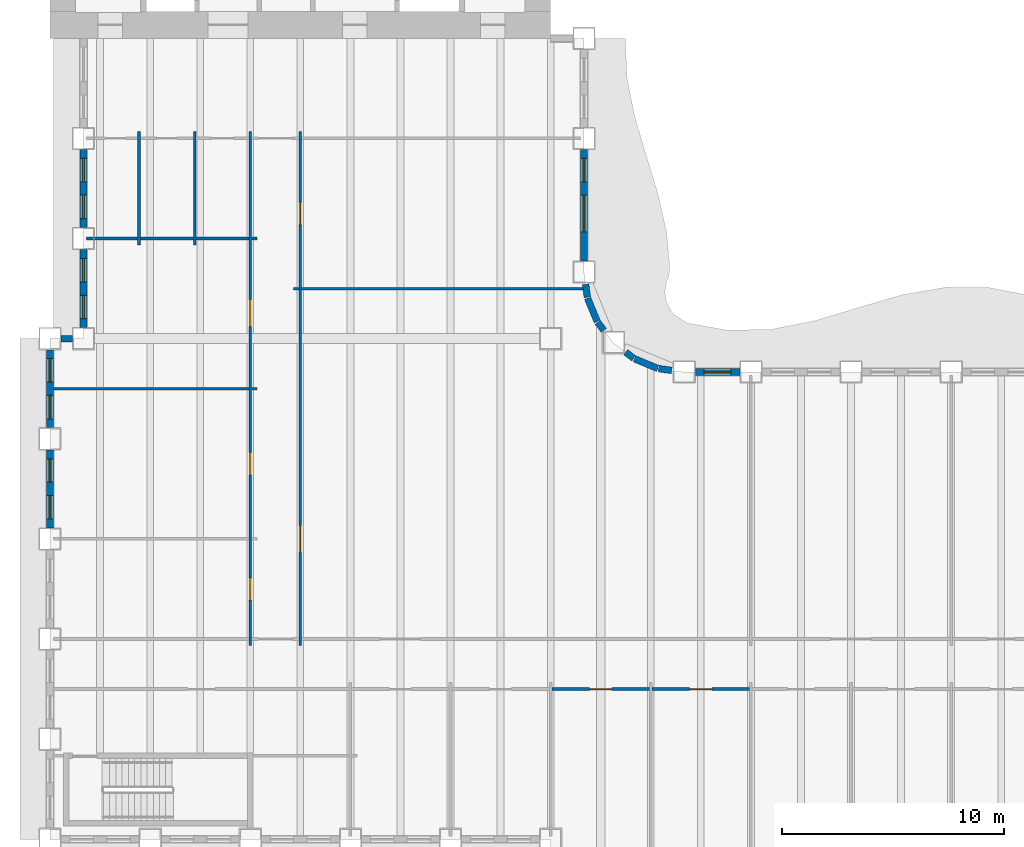
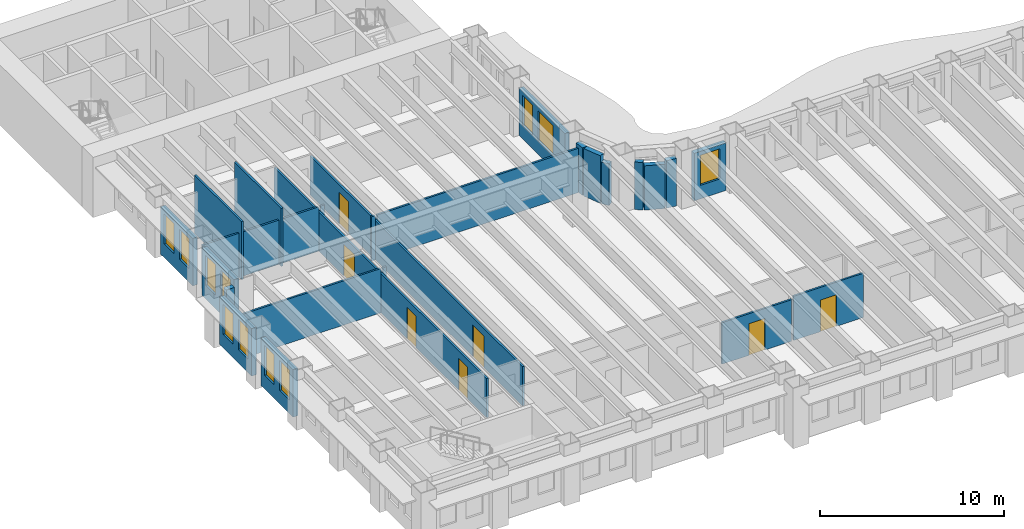
# One storey, part 4 of 16: 27 walls, 11 windows, 7 doors, 18 openings.
"""IFC4 building model written with IfcOpenShell, lengths in metres."""

from ifc_helpers import new_model, si_unit, direction, frame, frame_2d, origin, place, context, subcontext, project, spatial, rectangle, extrude, material, layer, layer_set, type_object, element, fill, save


model = new_model("IFC4")

# Units and contexts
model_context = context("Model", 3, precision=1e-05, world=origin(), true_north=direction((0.0, 1.0)))
body_context = subcontext(model_context, "Body", "Model", "MODEL_VIEW")
ifc_project = project(units=[si_unit("LENGTHUNIT", "METRE"), si_unit("AREAUNIT", "SQUARE_METRE"), si_unit("VOLUMEUNIT", "CUBIC_METRE"), si_unit("PLANEANGLEUNIT", "RADIAN"), si_unit("MASSUNIT", "GRAM", prefix="KILO")], contexts=[model_context])

# Site, building, storey
site_placement = place(None, origin())
site = spatial("IfcSite", under=ifc_project, at=site_placement, CompositionType="ELEMENT")
building_placement = place(site_placement, origin())
building = spatial("IfcBuilding", under=site, at=building_placement, Name="Sennacour Bend Tower", CompositionType="ELEMENT")
storey_placement = place(building_placement, frame((0.0, 0.0, 103.0)))
storey = spatial("IfcBuildingStorey", under=building, at=storey_placement, Name="L23", CompositionType="ELEMENT", Elevation=103.0)

# Walls
ifc_material_1 = material(Name="Plasterboard partition on steel studs", Category="steel")
ifc_layer_1 = layer(ifc_material_1, 0.1201171875, Name="Plasterboard partition on steel studs", Category="steel")
ifc_layer_set_1 = layer_set([ifc_layer_1], Name="Plasterboard partition on steel studs")
wall_type_1 = type_object("IfcWallType", Name="Partition 120", PredefinedType="PARTITIONING", material=ifc_layer_set_1)
for number, where, z_axis, x_axis, name in (
    (1, (4.0, 26.699951171875, 0.0), (0.0, 0.0, 1.0), (0.0, 1.0, 0.0), "P-L23-W005a"),
    (2, (6.5, 26.699951171875, 0.0), (0.0, 0.0, 1.0), (0.0, 1.0, 0.0), "P-L23-W008a"),
):
    element("IfcWall", number, at=place(storey_placement, frame(where, z_axis=z_axis, x_axis=x_axis)), inside=storey, type_object=wall_type_1, Name=name, PredefinedType="PARTITIONING", context=body_context, shape_type="SweptSolid", body=[
        extrude(rectangle(XDim=5.10009765625, YDim=0.1201171875, at=frame_2d((2.550048828125, 0.0))), origin(), (0.0, 0.0, 1.0), 3.85009765625),
    ])

# Wall, openings, doors
wall_1_placement = place(storey_placement, frame((9.0, 8.699951171875, 0.0), z_axis=(0.0, 0.0, 1.0), x_axis=(0.0, 1.0, 0.0)))
wall_1 = element("IfcWall", 3, at=wall_1_placement, inside=storey, type_object=wall_type_1, Name="P-L23-W011a", PredefinedType="PARTITIONING", context=body_context, shape_type="SweptSolid", body=[
    extrude(rectangle(XDim=23.10009765625, YDim=0.1201171875, at=frame_2d((11.550048828125, 0.0))), origin(), (0.0, 0.0, 1.0), 2.60009765625),
])
opening_1_placement = place(wall_1_placement, frame((2.050048828125, 0.0, 0.0)))
opening_1 = element("IfcOpeningElement", 4, at=opening_1_placement, cuts=wall_1, Name="Opening OD2", PredefinedType="OPENING", context=body_context, shape_type="SweptSolid", body=[
    extrude(rectangle(XDim=1.0, YDim=2.10009765625, at=frame_2d((0.5, 1.050048828125))), frame((0.0, 0.070068359375, 0.0), z_axis=(0.0, -1.0, 0.0), x_axis=(1.0, 0.0, 0.0)), (0.0, 0.0, 1.0), 0.14013671875),
])
opening_2_placement = place(wall_1_placement, frame((7.675048828125, 0.0, 0.0)))
opening_2 = element("IfcOpeningElement", 5, at=opening_2_placement, cuts=wall_1, Name="Opening OD2", PredefinedType="OPENING", context=body_context, shape_type="SweptSolid", body=[
    extrude(rectangle(XDim=1.0, YDim=2.10009765625, at=frame_2d((0.5, 1.050048828125))), frame((0.0, 0.070068359375, 0.0), z_axis=(0.0, -1.0, 0.0), x_axis=(1.0, 0.0, 0.0)), (0.0, 0.0, 1.0), 0.14013671875),
])
opening_3_placement = place(wall_1_placement, frame((14.35498046875, 0.0, 0.0)))
opening_3 = element("IfcOpeningElement", 6, at=opening_3_placement, cuts=wall_1, Name="Opening MD", PredefinedType="OPENING", context=body_context, shape_type="SweptSolid", body=[
    extrude(rectangle(XDim=1.199951171875, YDim=2.10009765625, at=frame_2d((0.60009765625, 1.050048828125))), frame((0.0, 0.070068359375, 0.0), z_axis=(0.0, -1.0, 0.0), x_axis=(1.0, 0.0, 0.0)), (0.0, 0.0, 1.0), 0.14013671875),
])
ifc_material_2 = material(Name="Timber", Category="wood")
door_type_1 = type_object("IfcDoorType", Name="DR-MEETING-1200", OperationType="NOTDEFINED", PredefinedType="DOOR", material=ifc_material_2)
door_1_placement = place(opening_3_placement, origin())
door_1 = element("IfcDoor", 7, at=door_1_placement, inside=storey, type_object=door_type_1, Name="Door", OperationType="SINGLE_SWING_RIGHT", OverallHeight=2.10009765625, OverallWidth=1.199951171875, PredefinedType="DOOR", context=body_context, shape_type="SweptSolid", body=[
    extrude(rectangle(XDim=1.199951171875, YDim=2.10009765625, at=frame_2d((0.60009765625, 1.050048828125))), frame((0.0, 0.02490234375, 0.0), z_axis=(0.0, -1.0, 0.0), x_axis=(1.0, 0.0, 0.0)), (0.0, 0.0, 1.0), 0.050048828125),
])
fill(opening_3, door_1)
door_type_2 = type_object("IfcDoorType", Name="DR-OFFICE-1000", OperationType="NOTDEFINED", PredefinedType="DOOR", material=ifc_material_2)
door_2_placement = place(opening_1_placement, origin())
door_2 = element("IfcDoor", 8, at=door_2_placement, inside=storey, type_object=door_type_2, Name="Door", OperationType="SINGLE_SWING_LEFT", OverallHeight=2.10009765625, OverallWidth=1.0, PredefinedType="DOOR", context=body_context, shape_type="SweptSolid", body=[
    extrude(rectangle(XDim=1.0, YDim=2.10009765625, at=frame_2d((0.5, 1.050048828125))), frame((0.0, 0.02490234375, 0.0), z_axis=(0.0, -1.0, 0.0), x_axis=(1.0, 0.0, 0.0)), (0.0, 0.0, 1.0), 0.050048828125),
])
fill(opening_1, door_2)
door_3_placement = place(opening_2_placement, origin())
door_3 = element("IfcDoor", 9, at=door_3_placement, inside=storey, type_object=door_type_2, Name="Door", OperationType="SINGLE_SWING_LEFT", OverallHeight=2.10009765625, OverallWidth=1.0, PredefinedType="DOOR", context=body_context, shape_type="SweptSolid", body=[
    extrude(rectangle(XDim=1.0, YDim=2.10009765625, at=frame_2d((0.5, 1.050048828125))), frame((0.0, 0.02490234375, 0.0), z_axis=(0.0, -1.0, 0.0), x_axis=(1.0, 0.0, 0.0)), (0.0, 0.0, 1.0), 0.050048828125),
])
fill(opening_2, door_3)

wall_2_placement = place(storey_placement, frame((11.25, 8.699951171875, 0.0), z_axis=(0.0, 0.0, 1.0), x_axis=(0.0, 1.0, 0.0)))
wall_2 = element("IfcWall", 10, at=wall_2_placement, inside=storey, type_object=wall_type_1, Name="P-L23-W013a", PredefinedType="PARTITIONING", context=body_context, shape_type="SweptSolid", body=[
    extrude(rectangle(XDim=23.10009765625, YDim=0.1201171875, at=frame_2d((11.550048828125, 0.0))), origin(), (0.0, 0.0, 1.0), 2.60009765625),
])
opening_4_placement = place(wall_2_placement, frame((18.925048828125, 0.0, 0.0)))
opening_4 = element("IfcOpeningElement", 11, at=opening_4_placement, cuts=wall_2, Name="Opening OD2", PredefinedType="OPENING", context=body_context, shape_type="SweptSolid", body=[
    extrude(rectangle(XDim=1.0, YDim=2.10009765625, at=frame_2d((0.5, 1.050048828125))), frame((0.0, 0.070068359375, 0.0), z_axis=(0.0, -1.0, 0.0), x_axis=(1.0, 0.0, 0.0)), (0.0, 0.0, 1.0), 0.14013671875),
])
opening_5_placement = place(wall_2_placement, frame((4.199951171875, 0.0, 0.0)))
opening_5 = element("IfcOpeningElement", 12, at=opening_5_placement, cuts=wall_2, Name="Opening OD", PredefinedType="OPENING", context=body_context, shape_type="SweptSolid", body=[
    extrude(rectangle(XDim=1.199951171875, YDim=2.10009765625, at=frame_2d((0.60009765625, 1.050048828125))), frame((0.0, 0.070068359375, 0.0), z_axis=(0.0, -1.0, 0.0), x_axis=(1.0, 0.0, 0.0)), (0.0, 0.0, 1.0), 0.14013671875),
])
door_4_placement = place(opening_4_placement, origin())
door_4 = element("IfcDoor", 13, at=door_4_placement, inside=storey, type_object=door_type_2, Name="Door", OperationType="SINGLE_SWING_RIGHT", OverallHeight=2.10009765625, OverallWidth=1.0, PredefinedType="DOOR", context=body_context, shape_type="SweptSolid", body=[
    extrude(rectangle(XDim=1.0, YDim=2.10009765625, at=frame_2d((0.5, 1.050048828125))), frame((0.0, 0.02490234375, 0.0), z_axis=(0.0, -1.0, 0.0), x_axis=(1.0, 0.0, 0.0)), (0.0, 0.0, 1.0), 0.050048828125),
])
fill(opening_4, door_4)
door_type_3 = type_object("IfcDoorType", Name="DR-OFFICE-1200", OperationType="NOTDEFINED", PredefinedType="DOOR", material=ifc_material_2)
door_5_placement = place(opening_5_placement, origin())
door_5 = element("IfcDoor", 14, at=door_5_placement, inside=storey, type_object=door_type_3, Name="Door", OperationType="SINGLE_SWING_LEFT", OverallHeight=2.10009765625, OverallWidth=1.199951171875, PredefinedType="DOOR", context=body_context, shape_type="SweptSolid", body=[
    extrude(rectangle(XDim=1.199951171875, YDim=2.10009765625, at=frame_2d((0.60009765625, 1.050048828125))), frame((0.0, 0.02490234375, 0.0), z_axis=(0.0, -1.0, 0.0), x_axis=(1.0, 0.0, 0.0)), (0.0, 0.0, 1.0), 0.050048828125),
])
fill(opening_5, door_5)

# Wall, opening, door
wall_3_placement = place(storey_placement, frame((22.56005859375, 6.75, 0.0), z_axis=(0.0, 0.0, 1.0), x_axis=(1.0, 0.0, 0.0)))
wall_3 = element("IfcWall", 15, at=wall_3_placement, inside=storey, type_object=wall_type_1, Name="P-L23-W060ad", PredefinedType="PARTITIONING", context=body_context, shape_type="SweptSolid", body=[
    extrude(rectangle(XDim=4.3798828125, YDim=0.1201171875, at=frame_2d((2.18994140625, 0.0))), origin(), (0.0, 0.0, 1.0), 2.760009765625),
])
opening_6_placement = place(wall_3_placement, frame((1.68994140625, 0.0, 0.0)))
opening_6 = element("IfcOpeningElement", 16, at=opening_6_placement, cuts=wall_3, Name="Opening OD2", PredefinedType="OPENING", context=body_context, shape_type="SweptSolid", body=[
    extrude(rectangle(XDim=1.0, YDim=2.10009765625, at=frame_2d((0.5, 1.050048828125))), frame((0.0, 0.070068359375, 0.0), z_axis=(0.0, -1.0, 0.0), x_axis=(1.0, 0.0, 0.0)), (0.0, 0.0, 1.0), 0.14013671875),
])
door_6_placement = place(opening_6_placement, origin())
door_6 = element("IfcDoor", 17, at=door_6_placement, inside=storey, type_object=door_type_2, Name="Door", OperationType="SINGLE_SWING_LEFT", OverallHeight=2.10009765625, OverallWidth=1.0, PredefinedType="DOOR", context=body_context, shape_type="SweptSolid", body=[
    extrude(rectangle(XDim=1.0, YDim=2.10009765625, at=frame_2d((0.5, 1.050048828125))), frame((0.0, 0.02490234375, 0.0), z_axis=(0.0, -1.0, 0.0), x_axis=(1.0, 0.0, 0.0)), (0.0, 0.0, 1.0), 0.050048828125),
])
fill(opening_6, door_6)

wall_4_placement = place(storey_placement, frame((27.06005859375, 6.75, 0.0), z_axis=(0.0, 0.0, 1.0), x_axis=(1.0, 0.0, 0.0)))
wall_4 = element("IfcWall", 18, at=wall_4_placement, inside=storey, type_object=wall_type_1, Name="P-L23-W060ae", PredefinedType="PARTITIONING", context=body_context, shape_type="SweptSolid", body=[
    extrude(rectangle(XDim=4.3798828125, YDim=0.1201171875, at=frame_2d((2.18994140625, 0.0))), origin(), (0.0, 0.0, 1.0), 2.93798828125),
])
opening_7_placement = place(wall_4_placement, frame((1.68994140625, 0.0, 0.0)))
opening_7 = element("IfcOpeningElement", 19, at=opening_7_placement, cuts=wall_4, Name="Opening MD2", PredefinedType="OPENING", context=body_context, shape_type="SweptSolid", body=[
    extrude(rectangle(XDim=1.0, YDim=2.10009765625, at=frame_2d((0.5, 1.050048828125))), frame((0.0, 0.070068359375, 0.0), z_axis=(0.0, -1.0, 0.0), x_axis=(1.0, 0.0, 0.0)), (0.0, 0.0, 1.0), 0.14013671875),
])
door_type_4 = type_object("IfcDoorType", Name="DR-MEETING-1000", OperationType="NOTDEFINED", PredefinedType="DOOR", material=ifc_material_2)
door_7_placement = place(opening_7_placement, origin())
door_7 = element("IfcDoor", 20, at=door_7_placement, inside=storey, type_object=door_type_4, Name="Door", OperationType="SINGLE_SWING_LEFT", OverallHeight=2.10009765625, OverallWidth=1.0, PredefinedType="DOOR", context=body_context, shape_type="SweptSolid", body=[
    extrude(rectangle(XDim=1.0, YDim=2.10009765625, at=frame_2d((0.5, 1.050048828125))), frame((0.0, 0.02490234375, 0.0), z_axis=(0.0, -1.0, 0.0), x_axis=(1.0, 0.0, 0.0)), (0.0, 0.0, 1.0), 0.050048828125),
])
fill(opening_7, door_7)

# Walls
wall_5_placement = place(storey_placement, frame((0.14990234375, 20.25, 0.0), z_axis=(0.0, 0.0, 1.0), x_axis=(1.0, 0.0, 0.0)))
element("IfcWall", 21, at=wall_5_placement, inside=storey, type_object=wall_type_1, Name="P-L23-W071aa", PredefinedType="PARTITIONING", context=body_context, shape_type="SweptSolid", body=[
    extrude(rectangle(XDim=8.7900390625, YDim=0.1201171875, at=frame_2d((4.39501953125, 0.0))), origin(), (0.0, 0.0, 1.0), 2.93798828125),
])
for number, where, z_axis, x_axis, name in (
    (22, (9.06005859375, 20.25, 0.0), (0.0, 0.0, 1.0), (1.0, 0.0, 0.0), "P-L23-W071ab"),
    (23, (10.949951171875, 24.75, 0.0), (0.0, 0.0, 1.0), (1.0, 0.0, 0.0), "P-L23-W073aa"),
):
    element("IfcWall", number, at=place(storey_placement, frame(where, z_axis=z_axis, x_axis=x_axis)), inside=storey, type_object=wall_type_1, Name=name, PredefinedType="PARTITIONING", context=body_context, shape_type="SweptSolid", body=[
        extrude(rectangle(XDim=0.239990234375, YDim=0.1201171875, at=frame_2d((0.1201171875, 0.0))), origin(), (0.0, 0.0, 1.0), 2.93798828125),
    ])
wall_6_placement = place(storey_placement, frame((11.31005859375, 24.75, 0.0), z_axis=(0.0, 0.0, 1.0), x_axis=(1.0, 0.0, 0.0)))
element("IfcWall", 24, at=wall_6_placement, inside=storey, type_object=wall_type_1, Name="P-L23-W073ab", PredefinedType="PARTITIONING", context=body_context, shape_type="SweptSolid", body=[
    extrude(rectangle(XDim=12.637451171875, YDim=0.1201171875, at=frame_2d((6.31884765625, 0.0))), origin(), (0.0, 0.0, 1.0), 2.93798828125),
])
wall_7_placement = place(storey_placement, frame((1.64990234375, 27.0, 0.0), z_axis=(0.0, 0.0, 1.0), x_axis=(1.0, 0.0, 0.0)))
element("IfcWall", 25, at=wall_7_placement, inside=storey, type_object=wall_type_1, Name="P-L23-W075aa", PredefinedType="PARTITIONING", context=body_context, shape_type="SweptSolid", body=[
    extrude(rectangle(XDim=2.2900390625, YDim=0.1201171875, at=frame_2d((1.14501953125, 0.0))), origin(), (0.0, 0.0, 1.0), 2.93798828125),
])
for number, where, z_axis, x_axis, name in (
    (26, (4.06005859375, 27.0, 0.0), (0.0, 0.0, 1.0), (1.0, 0.0, 0.0), "P-L23-W075ab"),
    (27, (6.56005859375, 27.0, 0.0), (0.0, 0.0, 1.0), (1.0, 0.0, 0.0), "P-L23-W075ac"),
):
    element("IfcWall", number, at=place(storey_placement, frame(where, z_axis=z_axis, x_axis=x_axis)), inside=storey, type_object=wall_type_1, Name=name, PredefinedType="PARTITIONING", context=body_context, shape_type="SweptSolid", body=[
        extrude(rectangle(XDim=2.3798828125, YDim=0.1201171875, at=frame_2d((1.18994140625, 0.0))), origin(), (0.0, 0.0, 1.0), 2.93798828125),
    ])
wall_8_placement = place(storey_placement, frame((9.06005859375, 27.0, 0.0), z_axis=(0.0, 0.0, 1.0), x_axis=(1.0, 0.0, 0.0)))
element("IfcWall", 28, at=wall_8_placement, inside=storey, type_object=wall_type_1, Name="P-L23-W075ad", PredefinedType="PARTITIONING", context=body_context, shape_type="SweptSolid", body=[
    extrude(rectangle(XDim=0.239990234375, YDim=0.1201171875, at=frame_2d((0.1201171875, 0.0))), origin(), (0.0, 0.0, 1.0), 2.93798828125),
])

# Wall, opening, window
ifc_material_3 = material(Name="Warm limestone cladding", Category="masonry")
ifc_layer_2 = layer(ifc_material_3, 0.050048828125, Name="Warm limestone cladding", Category="masonry")
ifc_material_4 = material(Name="Precast concrete C40/50", Category="concrete")
ifc_layer_3 = layer(ifc_material_4, 0.25, Name="Precast concrete C40/50", Category="concrete")
ifc_layer_set_2 = layer_set([ifc_layer_2, ifc_layer_3], Name="Precast concrete C40/50 with limestone cladding")
wall_type_2 = type_object("IfcWallType", Name="STONE-CLAD PRECAST SPANDREL 300", PredefinedType="STANDARD", material=ifc_layer_set_2)
wall_9_placement = place(storey_placement, frame((31.0, 21.0, 0.0), z_axis=(0.0, 0.0, 1.0), x_axis=(-1.0, 0.0, 0.0)))
wall_9 = element("IfcWall", 29, at=wall_9_placement, inside=storey, type_object=wall_type_2, Name="Stone spandrel and pier wall L23 06.05", PredefinedType="STANDARD", context=body_context, shape_type="SweptSolid", body=[
    extrude(rectangle(XDim=2.0, YDim=0.300048828125, at=frame_2d((1.0, 0.0))), origin(), (0.0, 0.0, 1.0), 3.154052734375),
])
opening_8_placement = place(wall_9_placement, frame((0.39990234375, 0.0, 0.89990234375)))
opening_8 = element("IfcOpeningElement", 30, at=opening_8_placement, cuts=wall_9, Name="Opening W14", PredefinedType="OPENING", context=body_context, shape_type="SweptSolid", body=[
    extrude(rectangle(XDim=1.199951171875, YDim=2.0, at=frame_2d((0.60009765625, 1.0))), frame((0.0, 0.16015625, 0.0), z_axis=(0.0, -1.0, 0.0), x_axis=(1.0, 0.0, 0.0)), (0.0, 0.0, 1.0), 0.320068359375),
])
ifc_material_5 = material(Name="Clear low-emissivity glass", Category="glass")
window_type_1 = type_object("IfcWindowType", Name="WIN-RIBBON-1200x2000", PartitioningType="SINGLE_PANEL", PredefinedType="WINDOW", material=ifc_material_5)
window_1_placement = place(opening_8_placement, origin())
window_1 = element("IfcWindow", 31, at=window_1_placement, inside=storey, type_object=window_type_1, Name="Ribbon window L23 06.05", OverallHeight=2.0, OverallWidth=1.199951171875, PartitioningType="SINGLE_PANEL", PredefinedType="WINDOW", context=body_context, shape_type="SweptSolid", body=[
    extrude(rectangle(XDim=1.199951171875, YDim=2.0, at=frame_2d((0.60009765625, 1.0))), frame((0.0, 0.030029296875, 0.0), z_axis=(0.0, -1.0, 0.0), x_axis=(1.0, 0.0, 0.0)), (0.0, 0.0, 1.0), 0.06005859375),
])
fill(opening_8, window_1)

# Walls
wall_10_placement = place(storey_placement, frame((27.94384765625, 21.0732421875, 0.0), z_axis=(0.0, 0.0, 1.0), x_axis=(-0.991420685839, 0.130709692412, 0.0)))
element("IfcWall", 32, at=wall_10_placement, inside=storey, type_object=wall_type_2, Name="Stone spandrel and pier wall L23 07.00", PredefinedType="STANDARD", context=body_context, shape_type="SweptSolid", body=[
    extrude(rectangle(XDim=0.593994140625, YDim=0.300048828125, at=frame_2d((0.296875, 0.0))), origin(), (0.0, 0.0, 1.0), 3.154052734375),
])
wall_11_placement = place(storey_placement, frame((27.317138671875, 21.160888671875, 0.0), z_axis=(0.0, 0.0, 1.0), x_axis=(-0.923914616768, 0.382598720491, 0.0)))
element("IfcWall", 33, at=wall_11_placement, inside=storey, type_object=wall_type_2, Name="Stone spandrel and pier wall L23 08.00", PredefinedType="STANDARD", context=body_context, shape_type="SweptSolid", body=[
    extrude(rectangle(XDim=1.13525390625, YDim=0.300048828125, at=frame_2d((0.567626953125, 0.0))), origin(), (0.0, 0.0, 1.0), 2.93798828125),
])
wall_12_placement = place(storey_placement, frame((26.234375, 21.614990234375, 0.0), z_axis=(0.0, 0.0, 1.0), x_axis=(-0.793563062559, 0.608488016104, 0.0)))
element("IfcWall", 34, at=wall_12_placement, inside=storey, type_object=wall_type_2, Name="Stone spandrel and pier wall L23 09.00", PredefinedType="STANDARD", context=body_context, shape_type="SweptSolid", body=[
    extrude(rectangle(XDim=0.453857421875, YDim=0.300048828125, at=frame_2d((0.22705078125, 0.0))), origin(), (0.0, 0.0, 1.0), 3.154052734375),
])
wall_13_placement = place(storey_placement, frame((24.89111328125, 22.874267578125, 0.0), z_axis=(0.0, 0.0, 1.0), x_axis=(-0.608488016104, 0.793563062559, 0.0)))
element("IfcWall", 35, at=wall_13_placement, inside=storey, type_object=wall_type_2, Name="Stone spandrel and pier wall L23 10.00", PredefinedType="STANDARD", context=body_context, shape_type="SweptSolid", body=[
    extrude(rectangle(XDim=0.453857421875, YDim=0.300048828125, at=frame_2d((0.22705078125, 0.0))), origin(), (0.0, 0.0, 1.0), 2.760009765625),
])
wall_14_placement = place(storey_placement, frame((24.59521484375, 23.268310546875, 0.0), z_axis=(0.0, 0.0, 1.0), x_axis=(-0.382598720491, 0.923914616768, 0.0)))
element("IfcWall", 36, at=wall_14_placement, inside=storey, type_object=wall_type_2, Name="Stone spandrel and pier wall L23 11.00", PredefinedType="STANDARD", context=body_context, shape_type="SweptSolid", body=[
    extrude(rectangle(XDim=1.13525390625, YDim=0.300048828125, at=frame_2d((0.567626953125, 0.0))), origin(), (0.0, 0.0, 1.0), 3.154052734375),
])
wall_15_placement = place(storey_placement, frame((24.15087890625, 24.35498046875, 0.0), z_axis=(0.0, 0.0, 1.0), x_axis=(-0.130709692412, 0.991420685839, 0.0)))
element("IfcWall", 37, at=wall_15_placement, inside=storey, type_object=wall_type_2, Name="Stone spandrel and pier wall L23 12.00", PredefinedType="STANDARD", context=body_context, shape_type="SweptSolid", body=[
    extrude(rectangle(XDim=0.593994140625, YDim=0.300048828125, at=frame_2d((0.296875, 0.0))), origin(), (0.0, 0.0, 1.0), 3.154052734375),
])

# Wall, openings, windows
wall_16_placement = place(storey_placement, frame((24.0, 26.0, 0.0), z_axis=(0.0, 0.0, 1.0), x_axis=(0.0, 1.0, 0.0)))
wall_16 = element("IfcWall", 38, at=wall_16_placement, inside=storey, type_object=wall_type_2, Name="Stone spandrel and pier wall L23 13.00", PredefinedType="STANDARD", context=body_context, shape_type="SweptSolid", body=[
    extrude(rectangle(XDim=5.0, YDim=0.300048828125, at=frame_2d((2.5, 0.0))), origin(), (0.0, 0.0, 1.0), 3.154052734375),
])
opening_9_placement = place(wall_16_placement, frame((1.300048828125, 0.0, 0.89990234375)))
opening_9 = element("IfcOpeningElement", 39, at=opening_9_placement, cuts=wall_16, Name="Opening W10", PredefinedType="OPENING", context=body_context, shape_type="SweptSolid", body=[
    extrude(rectangle(XDim=1.64990234375, YDim=2.0, at=frame_2d((0.824951171875, 1.0))), frame((0.0, 0.16015625, 0.0), z_axis=(0.0, -1.0, 0.0), x_axis=(1.0, 0.0, 0.0)), (0.0, 0.0, 1.0), 0.320068359375),
])
opening_10_placement = place(wall_16_placement, frame((3.550048828125, 0.0, 0.89990234375)))
opening_10 = element("IfcOpeningElement", 40, at=opening_10_placement, cuts=wall_16, Name="Opening W13", PredefinedType="OPENING", context=body_context, shape_type="SweptSolid", body=[
    extrude(rectangle(XDim=1.050048828125, YDim=2.0, at=frame_2d((0.52490234375, 1.0))), frame((0.0, 0.16015625, 0.0), z_axis=(0.0, -1.0, 0.0), x_axis=(1.0, 0.0, 0.0)), (0.0, 0.0, 1.0), 0.320068359375),
])
window_type_2 = type_object("IfcWindowType", Name="WIN-RIBBON-1050x2000", PartitioningType="SINGLE_PANEL", PredefinedType="WINDOW", material=ifc_material_5)
window_2_placement = place(opening_10_placement, origin())
window_2 = element("IfcWindow", 41, at=window_2_placement, inside=storey, type_object=window_type_2, Name="Ribbon window L23 13.00.1", OverallHeight=2.0, OverallWidth=1.050048828125, PartitioningType="SINGLE_PANEL", PredefinedType="WINDOW", context=body_context, shape_type="SweptSolid", body=[
    extrude(rectangle(XDim=1.050048828125, YDim=2.0, at=frame_2d((0.52490234375, 1.0))), frame((0.0, 0.030029296875, 0.0), z_axis=(0.0, -1.0, 0.0), x_axis=(1.0, 0.0, 0.0)), (0.0, 0.0, 1.0), 0.06005859375),
])
fill(opening_10, window_2)
window_type_3 = type_object("IfcWindowType", Name="WIN-RIBBON-1650x2000", PartitioningType="SINGLE_PANEL", PredefinedType="WINDOW", material=ifc_material_5)
window_3_placement = place(opening_9_placement, origin())
window_3 = element("IfcWindow", 42, at=window_3_placement, inside=storey, type_object=window_type_3, Name="Ribbon window L23 13.00.0", OverallHeight=2.0, OverallWidth=1.64990234375, PartitioningType="SINGLE_PANEL", PredefinedType="WINDOW", context=body_context, shape_type="SweptSolid", body=[
    extrude(rectangle(XDim=1.64990234375, YDim=2.0, at=frame_2d((0.824951171875, 1.0))), frame((0.0, 0.030029296875, 0.0), z_axis=(0.0, -1.0, 0.0), x_axis=(1.0, 0.0, 0.0)), (0.0, 0.0, 1.0), 0.06005859375),
])
fill(opening_9, window_3)

wall_17_placement = place(storey_placement, frame((1.5, 31.0, 0.0), z_axis=(0.0, 0.0, 1.0), x_axis=(0.0, -1.0, 0.0)))
wall_17 = element("IfcWall", 43, at=wall_17_placement, inside=storey, type_object=wall_type_2, Name="Stone spandrel and pier wall L23 19.01", PredefinedType="STANDARD", context=body_context, shape_type="SweptSolid", body=[
    extrude(rectangle(XDim=3.5, YDim=0.300048828125, at=frame_2d((1.75, 0.0))), origin(), (0.0, 0.0, 1.0), 3.154052734375),
])
opening_11_placement = place(wall_17_placement, frame((0.39990234375, 0.0, 0.89990234375)))
opening_11 = element("IfcOpeningElement", 44, at=opening_11_placement, cuts=wall_17, Name="Opening W13", PredefinedType="OPENING", context=body_context, shape_type="SweptSolid", body=[
    extrude(rectangle(XDim=1.050048828125, YDim=2.0, at=frame_2d((0.52490234375, 1.0))), frame((0.0, 0.16015625, 0.0), z_axis=(0.0, -1.0, 0.0), x_axis=(1.0, 0.0, 0.0)), (0.0, 0.0, 1.0), 0.320068359375),
])
opening_12_placement = place(wall_17_placement, frame((2.050048828125, 0.0, 0.89990234375)))
opening_12 = element("IfcOpeningElement", 45, at=opening_12_placement, cuts=wall_17, Name="Opening W13", PredefinedType="OPENING", context=body_context, shape_type="SweptSolid", body=[
    extrude(rectangle(XDim=1.050048828125, YDim=2.0, at=frame_2d((0.52490234375, 1.0))), frame((0.0, 0.16015625, 0.0), z_axis=(0.0, -1.0, 0.0), x_axis=(1.0, 0.0, 0.0)), (0.0, 0.0, 1.0), 0.320068359375),
])
window_4_placement = place(opening_11_placement, origin())
window_4 = element("IfcWindow", 46, at=window_4_placement, inside=storey, type_object=window_type_2, Name="Ribbon window L23 19.01.0", OverallHeight=2.0, OverallWidth=1.050048828125, PartitioningType="SINGLE_PANEL", PredefinedType="WINDOW", context=body_context, shape_type="SweptSolid", body=[
    extrude(rectangle(XDim=1.050048828125, YDim=2.0, at=frame_2d((0.52490234375, 1.0))), frame((0.0, 0.030029296875, 0.0), z_axis=(0.0, -1.0, 0.0), x_axis=(1.0, 0.0, 0.0)), (0.0, 0.0, 1.0), 0.06005859375),
])
fill(opening_11, window_4)
window_5_placement = place(opening_12_placement, origin())
window_5 = element("IfcWindow", 47, at=window_5_placement, inside=storey, type_object=window_type_2, Name="Ribbon window L23 19.01.1", OverallHeight=2.0, OverallWidth=1.050048828125, PartitioningType="SINGLE_PANEL", PredefinedType="WINDOW", context=body_context, shape_type="SweptSolid", body=[
    extrude(rectangle(XDim=1.050048828125, YDim=2.0, at=frame_2d((0.52490234375, 1.0))), frame((0.0, 0.030029296875, 0.0), z_axis=(0.0, -1.0, 0.0), x_axis=(1.0, 0.0, 0.0)), (0.0, 0.0, 1.0), 0.06005859375),
])
fill(opening_12, window_5)

wall_18_placement = place(storey_placement, frame((1.5, 26.5, 0.0), z_axis=(0.0, 0.0, 1.0), x_axis=(0.0, -1.0, 0.0)))
wall_18 = element("IfcWall", 48, at=wall_18_placement, inside=storey, type_object=wall_type_2, Name="Stone spandrel and pier wall L23 19.02", PredefinedType="STANDARD", context=body_context, shape_type="SweptSolid", body=[
    extrude(rectangle(XDim=3.5, YDim=0.300048828125, at=frame_2d((1.75, 0.0))), origin(), (0.0, 0.0, 1.0), 3.154052734375),
])
opening_13_placement = place(wall_18_placement, frame((0.39990234375, 0.0, 0.89990234375)))
opening_13 = element("IfcOpeningElement", 49, at=opening_13_placement, cuts=wall_18, Name="Opening W13", PredefinedType="OPENING", context=body_context, shape_type="SweptSolid", body=[
    extrude(rectangle(XDim=1.050048828125, YDim=2.0, at=frame_2d((0.52490234375, 1.0))), frame((0.0, 0.16015625, 0.0), z_axis=(0.0, -1.0, 0.0), x_axis=(1.0, 0.0, 0.0)), (0.0, 0.0, 1.0), 0.320068359375),
])
opening_14_placement = place(wall_18_placement, frame((2.050048828125, 0.0, 0.89990234375)))
opening_14 = element("IfcOpeningElement", 50, at=opening_14_placement, cuts=wall_18, Name="Opening W13", PredefinedType="OPENING", context=body_context, shape_type="SweptSolid", body=[
    extrude(rectangle(XDim=1.050048828125, YDim=2.0, at=frame_2d((0.52490234375, 1.0))), frame((0.0, 0.16015625, 0.0), z_axis=(0.0, -1.0, 0.0), x_axis=(1.0, 0.0, 0.0)), (0.0, 0.0, 1.0), 0.320068359375),
])
window_6_placement = place(opening_13_placement, origin())
window_6 = element("IfcWindow", 51, at=window_6_placement, inside=storey, type_object=window_type_2, Name="Ribbon window L23 19.02.0", OverallHeight=2.0, OverallWidth=1.050048828125, PartitioningType="SINGLE_PANEL", PredefinedType="WINDOW", context=body_context, shape_type="SweptSolid", body=[
    extrude(rectangle(XDim=1.050048828125, YDim=2.0, at=frame_2d((0.52490234375, 1.0))), frame((0.0, 0.030029296875, 0.0), z_axis=(0.0, -1.0, 0.0), x_axis=(1.0, 0.0, 0.0)), (0.0, 0.0, 1.0), 0.06005859375),
])
fill(opening_13, window_6)
window_7_placement = place(opening_14_placement, origin())
window_7 = element("IfcWindow", 52, at=window_7_placement, inside=storey, type_object=window_type_2, Name="Ribbon window L23 19.02.1", OverallHeight=2.0, OverallWidth=1.050048828125, PartitioningType="SINGLE_PANEL", PredefinedType="WINDOW", context=body_context, shape_type="SweptSolid", body=[
    extrude(rectangle(XDim=1.050048828125, YDim=2.0, at=frame_2d((0.52490234375, 1.0))), frame((0.0, 0.030029296875, 0.0), z_axis=(0.0, -1.0, 0.0), x_axis=(1.0, 0.0, 0.0)), (0.0, 0.0, 1.0), 0.06005859375),
])
fill(opening_14, window_7)

# Wall
wall_19_placement = place(storey_placement, frame((1.0, 22.5, 0.0), z_axis=(0.0, 0.0, 1.0), x_axis=(-1.0, 0.0, 0.0)))
element("IfcWall", 53, at=wall_19_placement, inside=storey, type_object=wall_type_2, Name="Stone spandrel and pier wall L23 20.00", PredefinedType="STANDARD", context=body_context, shape_type="SweptSolid", body=[
    extrude(rectangle(XDim=0.5, YDim=0.300048828125, at=frame_2d((0.25, 0.0))), origin(), (0.0, 0.0, 1.0), 3.154052734375),
])

# Wall, openings, windows
wall_20_placement = place(storey_placement, frame((0.0, 22.0, 0.0), z_axis=(0.0, 0.0, 1.0), x_axis=(0.0, -1.0, 0.0)))
wall_20 = element("IfcWall", 54, at=wall_20_placement, inside=storey, type_object=wall_type_2, Name="Stone spandrel and pier wall L23 21.00", PredefinedType="STANDARD", context=body_context, shape_type="SweptSolid", body=[
    extrude(rectangle(XDim=3.5, YDim=0.300048828125, at=frame_2d((1.75, 0.0))), origin(), (0.0, 0.0, 1.0), 3.154052734375),
])
opening_15_placement = place(wall_20_placement, frame((0.39990234375, 0.0, 0.89990234375)))
opening_15 = element("IfcOpeningElement", 55, at=opening_15_placement, cuts=wall_20, Name="Opening W13", PredefinedType="OPENING", context=body_context, shape_type="SweptSolid", body=[
    extrude(rectangle(XDim=1.050048828125, YDim=2.0, at=frame_2d((0.52490234375, 1.0))), frame((0.0, 0.16015625, 0.0), z_axis=(0.0, -1.0, 0.0), x_axis=(1.0, 0.0, 0.0)), (0.0, 0.0, 1.0), 0.320068359375),
])
opening_16_placement = place(wall_20_placement, frame((2.050048828125, 0.0, 0.89990234375)))
opening_16 = element("IfcOpeningElement", 56, at=opening_16_placement, cuts=wall_20, Name="Opening W13", PredefinedType="OPENING", context=body_context, shape_type="SweptSolid", body=[
    extrude(rectangle(XDim=1.050048828125, YDim=2.0, at=frame_2d((0.52490234375, 1.0))), frame((0.0, 0.16015625, 0.0), z_axis=(0.0, -1.0, 0.0), x_axis=(1.0, 0.0, 0.0)), (0.0, 0.0, 1.0), 0.320068359375),
])
window_8_placement = place(opening_15_placement, origin())
window_8 = element("IfcWindow", 57, at=window_8_placement, inside=storey, type_object=window_type_2, Name="Ribbon window L23 21.00.0", OverallHeight=2.0, OverallWidth=1.050048828125, PartitioningType="SINGLE_PANEL", PredefinedType="WINDOW", context=body_context, shape_type="SweptSolid", body=[
    extrude(rectangle(XDim=1.050048828125, YDim=2.0, at=frame_2d((0.52490234375, 1.0))), frame((0.0, 0.030029296875, 0.0), z_axis=(0.0, -1.0, 0.0), x_axis=(1.0, 0.0, 0.0)), (0.0, 0.0, 1.0), 0.06005859375),
])
fill(opening_15, window_8)
window_9_placement = place(opening_16_placement, origin())
window_9 = element("IfcWindow", 58, at=window_9_placement, inside=storey, type_object=window_type_2, Name="Ribbon window L23 21.00.1", OverallHeight=2.0, OverallWidth=1.050048828125, PartitioningType="SINGLE_PANEL", PredefinedType="WINDOW", context=body_context, shape_type="SweptSolid", body=[
    extrude(rectangle(XDim=1.050048828125, YDim=2.0, at=frame_2d((0.52490234375, 1.0))), frame((0.0, 0.030029296875, 0.0), z_axis=(0.0, -1.0, 0.0), x_axis=(1.0, 0.0, 0.0)), (0.0, 0.0, 1.0), 0.06005859375),
])
fill(opening_16, window_9)

wall_21_placement = place(storey_placement, frame((0.0, 17.5, 0.0), z_axis=(0.0, 0.0, 1.0), x_axis=(0.0, -1.0, 0.0)))
wall_21 = element("IfcWall", 59, at=wall_21_placement, inside=storey, type_object=wall_type_2, Name="Stone spandrel and pier wall L23 21.01", PredefinedType="STANDARD", context=body_context, shape_type="SweptSolid", body=[
    extrude(rectangle(XDim=3.5, YDim=0.300048828125, at=frame_2d((1.75, 0.0))), origin(), (0.0, 0.0, 1.0), 3.154052734375),
])
opening_17_placement = place(wall_21_placement, frame((0.39990234375, 0.0, 0.89990234375)))
opening_17 = element("IfcOpeningElement", 60, at=opening_17_placement, cuts=wall_21, Name="Opening W13", PredefinedType="OPENING", context=body_context, shape_type="SweptSolid", body=[
    extrude(rectangle(XDim=1.050048828125, YDim=2.0, at=frame_2d((0.52490234375, 1.0))), frame((0.0, 0.16015625, 0.0), z_axis=(0.0, -1.0, 0.0), x_axis=(1.0, 0.0, 0.0)), (0.0, 0.0, 1.0), 0.320068359375),
])
opening_18_placement = place(wall_21_placement, frame((2.050048828125, 0.0, 0.89990234375)))
opening_18 = element("IfcOpeningElement", 61, at=opening_18_placement, cuts=wall_21, Name="Opening W13", PredefinedType="OPENING", context=body_context, shape_type="SweptSolid", body=[
    extrude(rectangle(XDim=1.050048828125, YDim=2.0, at=frame_2d((0.52490234375, 1.0))), frame((0.0, 0.16015625, 0.0), z_axis=(0.0, -1.0, 0.0), x_axis=(1.0, 0.0, 0.0)), (0.0, 0.0, 1.0), 0.320068359375),
])
window_10_placement = place(opening_17_placement, origin())
window_10 = element("IfcWindow", 62, at=window_10_placement, inside=storey, type_object=window_type_2, Name="Ribbon window L23 21.01.0", OverallHeight=2.0, OverallWidth=1.050048828125, PartitioningType="SINGLE_PANEL", PredefinedType="WINDOW", context=body_context, shape_type="SweptSolid", body=[
    extrude(rectangle(XDim=1.050048828125, YDim=2.0, at=frame_2d((0.52490234375, 1.0))), frame((0.0, 0.030029296875, 0.0), z_axis=(0.0, -1.0, 0.0), x_axis=(1.0, 0.0, 0.0)), (0.0, 0.0, 1.0), 0.06005859375),
])
fill(opening_17, window_10)
window_11_placement = place(opening_18_placement, origin())
window_11 = element("IfcWindow", 63, at=window_11_placement, inside=storey, type_object=window_type_2, Name="Ribbon window L23 21.01.1", OverallHeight=2.0, OverallWidth=1.050048828125, PartitioningType="SINGLE_PANEL", PredefinedType="WINDOW", context=body_context, shape_type="SweptSolid", body=[
    extrude(rectangle(XDim=1.050048828125, YDim=2.0, at=frame_2d((0.52490234375, 1.0))), frame((0.0, 0.030029296875, 0.0), z_axis=(0.0, -1.0, 0.0), x_axis=(1.0, 0.0, 0.0)), (0.0, 0.0, 1.0), 0.06005859375),
])
fill(opening_18, window_11)

save(model, "model.ifc")
